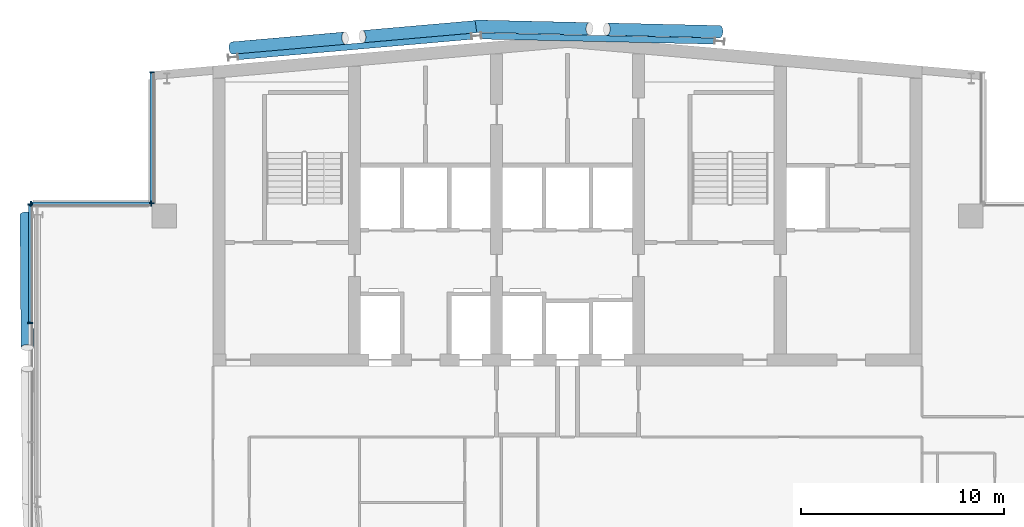
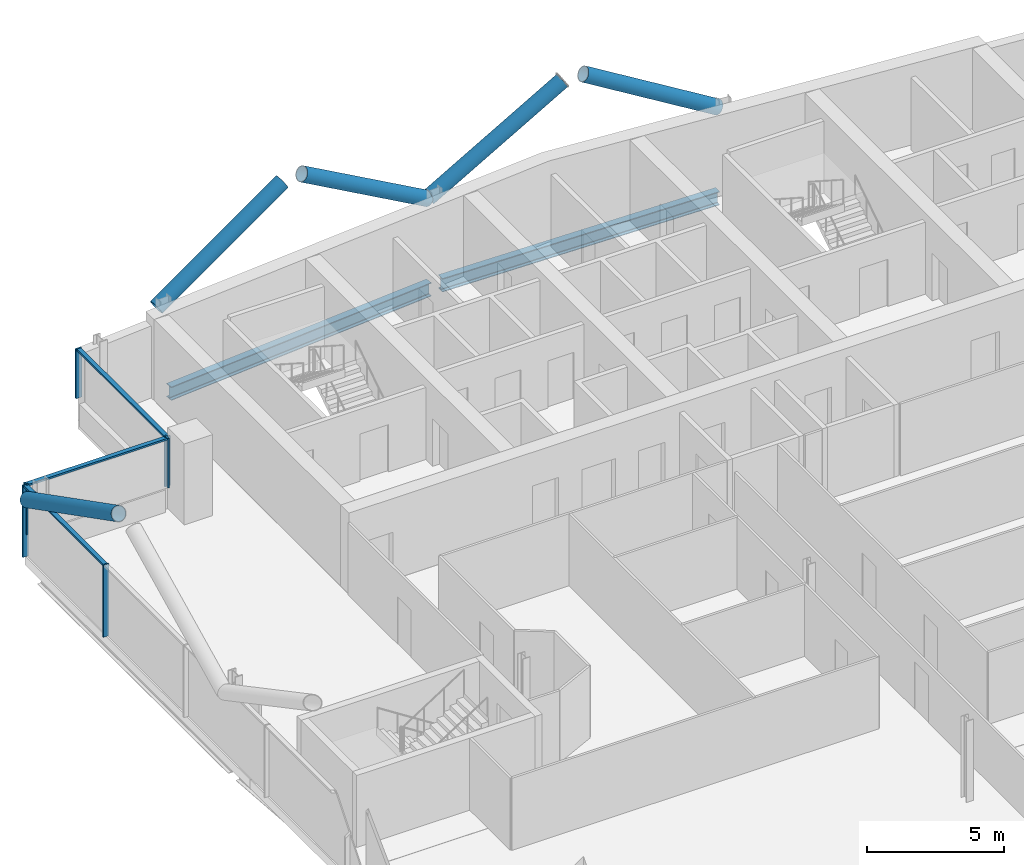
# One storey, part 10 of 25: 14 members, 2 beams, 3 elements without a shape of their own.
"""IFC4 building model written with IfcOpenShell, lengths in metres."""

from ifc_helpers import new_model, si_unit, direction, frame, origin, origin_2d, place, context, subcontext, project, spatial, rectangle, hollow_circle, i_section, extrude, material, material_profile, profile_set, type_object, element, aggregate, save


model = new_model("IFC4")

# Units and contexts
model_context = context("Model", 3, precision=1e-05, world=origin(), true_north=direction((0.0, 1.0)))
body_context = subcontext(model_context, "Body", "Model", "MODEL_VIEW")
ifc_project = project(units=[si_unit("LENGTHUNIT", "METRE"), si_unit("AREAUNIT", "SQUARE_METRE"), si_unit("VOLUMEUNIT", "CUBIC_METRE"), si_unit("PLANEANGLEUNIT", "RADIAN"), si_unit("MASSUNIT", "GRAM", prefix="KILO")], contexts=[model_context])

# Site, building, storey
site_placement = place(None, origin())
site = spatial("IfcSite", under=ifc_project, at=site_placement, CompositionType="ELEMENT")
building_placement = place(site_placement, origin())
building = spatial("IfcBuilding", under=site, at=building_placement, Name="Wharfspan Tower", CompositionType="ELEMENT")
storey_placement = place(building_placement, frame((0.0, 0.0, 225.100098)))
storey = spatial("IfcBuildingStorey", under=building, at=storey_placement, Name="L56", CompositionType="ELEMENT", Elevation=225.100098)

# Beams
ifc_material_1 = material(Name="Steel S355J2", Category="steel")
ifc_material_profile_1 = material_profile(ifc_material_1, i_section(OverallWidth=0.300049, OverallDepth=0.600098, WebThickness=0.015381, FlangeThickness=0.030029, FilletRadius=0.0271, at=origin_2d()))
ifc_profile_set_1 = profile_set([ifc_material_profile_1], Name="Steel S355J2")
beam_type = type_object("IfcBeamType", Name="Edge beam HEB 600", PredefinedType="SPANDREL", material=ifc_profile_set_1)
beam_1_placement = place(storey_placement, frame((35.754883, 50.263428, -0.700195), z_axis=(-0.996194, -0.087165, 0.0), x_axis=(0.087165, -0.996194, 0.0)))
element("IfcBeam", 1, at=beam_1_placement, inside=storey, type_object=beam_type, Name="Edge beam N1 L56 R.2 to R.1", PredefinedType="SPANDREL", context=body_context, shape_type="SweptSolid", body=[
    extrude(i_section(OverallWidth=0.300049, OverallDepth=0.600098, WebThickness=0.015381, FlangeThickness=0.030029, FilletRadius=0.0271, at=origin_2d()), origin(), (0.0, 0.0, 1.0), 11.553711),
])
beam_2_placement = place(storey_placement, frame((36.247559, 50.279297, -0.700195), z_axis=(0.999761, -0.021871, 0.0), x_axis=(0.021871, 0.999761, 0.0)))
element("IfcBeam", 2, at=beam_2_placement, inside=storey, type_object=beam_type, Name="Edge beam L56 R.2 to R.3", PredefinedType="SPANDREL", context=body_context, shape_type="SweptSolid", body=[
    extrude(i_section(OverallWidth=0.300049, OverallDepth=0.600098, WebThickness=0.015381, FlangeThickness=0.030029, FilletRadius=0.0271, at=origin_2d()), origin(), (0.0, 0.0, 1.0), 11.508545),
])

# Curtain wall, members
ifc_material_2 = material(Name="Aluminium 6063-T6", Category="aluminium")
curtain_wall_type = type_object("IfcCurtainWallType", Name="CURTAIN WALL PROW AND END", PredefinedType="NOTDEFINED", material=ifc_material_2)
curtain_wall_1_placement = place(storey_placement, origin())
curtain_wall_1 = element("IfcCurtainWall", 3, at=curtain_wall_1_placement, inside=storey, type_object=curtain_wall_type, Name="Curtain wall NRW-V", PredefinedType="NOTDEFINED")
ifc_material_profile_2 = material_profile(ifc_material_2, rectangle(XDim=0.23999, YDim=0.060059, at=origin_2d()))
ifc_profile_set_2 = profile_set([ifc_material_profile_2], Name="Aluminium 6063-T6")
member_type_1 = type_object("IfcMemberType", Name="MULLION PROW AND END 60x240", PredefinedType="MULLION", material=ifc_profile_set_2)
member_1_placement = place(storey_placement, frame((20.0, 48.494873, 1.0), z_axis=(0.0, 0.0, 1.0), x_axis=(1.0, 0.0, 0.0)))
member_1 = element("IfcMember", 4, at=member_1_placement, type_object=member_type_1, Name="Curtain wall NRW-V mullion 1", PredefinedType="MULLION", context=body_context, shape_type="SweptSolid", body=[
    extrude(rectangle(XDim=0.23999, YDim=0.060059, at=origin_2d()), origin(), (0.0, 0.0, 1.0), 2.199951),
])
member_2_placement = place(storey_placement, frame((20.0, 42.030029, 1.0), z_axis=(0.0, 0.0, 1.0), x_axis=(1.0, 0.0, 0.0)))
member_2 = element("IfcMember", 5, at=member_2_placement, type_object=member_type_1, Name="Curtain wall NRW-V mullion 2", PredefinedType="MULLION", context=body_context, shape_type="SweptSolid", body=[
    extrude(rectangle(XDim=0.23999, YDim=0.060059, at=origin_2d()), origin(), (0.0, 0.0, 1.0), 2.199951),
])

curtain_wall_2_placement = place(storey_placement, origin())
curtain_wall_2 = element("IfcCurtainWall", 6, at=curtain_wall_2_placement, inside=storey, type_object=curtain_wall_type, Name="Curtain wall NRW-H", PredefinedType="NOTDEFINED")
member_3_placement = place(storey_placement, frame((19.969971, 42.0, 1.0), z_axis=(0.0, 0.0, 1.0), x_axis=(0.0, -1.0, 0.0)))
member_3 = element("IfcMember", 7, at=member_3_placement, type_object=member_type_1, Name="Curtain wall NRW-H mullion 1", PredefinedType="MULLION", context=body_context, shape_type="SweptSolid", body=[
    extrude(rectangle(XDim=0.23999, YDim=0.060059, at=origin_2d()), origin(), (0.0, 0.0, 1.0), 2.199951),
])
member_4_placement = place(storey_placement, frame((14.030029, 42.0, 1.0), z_axis=(0.0, 0.0, 1.0), x_axis=(0.0, -1.0, 0.0)))
member_4 = element("IfcMember", 8, at=member_4_placement, type_object=member_type_1, Name="Curtain wall NRW-H mullion 2", PredefinedType="MULLION", context=body_context, shape_type="SweptSolid", body=[
    extrude(rectangle(XDim=0.23999, YDim=0.060059, at=origin_2d()), origin(), (0.0, 0.0, 1.0), 2.199951),
])

curtain_wall_3_placement = place(storey_placement, origin())
curtain_wall_3 = element("IfcCurtainWall", 9, at=curtain_wall_3_placement, inside=storey, type_object=curtain_wall_type, Name="Curtain wall W", PredefinedType="NOTDEFINED")
member_5_placement = place(storey_placement, frame((14.0, 41.969971, 0.0), z_axis=(0.0, 0.0, 1.0), x_axis=(1.0, 0.0, 0.0)))
member_5 = element("IfcMember", 10, at=member_5_placement, type_object=member_type_1, Name="Curtain wall W mullion 1", PredefinedType="MULLION", context=body_context, shape_type="SweptSolid", body=[
    extrude(rectangle(XDim=0.23999, YDim=0.060059, at=origin_2d()), origin(), (0.0, 0.0, 1.0), 3.199951),
])
member_6_placement = place(storey_placement, frame((14.0, 36.120117, 0.0), z_axis=(0.0, 0.0, 1.0), x_axis=(1.0, 0.0, 0.0)))
member_6 = element("IfcMember", 11, at=member_6_placement, type_object=member_type_1, Name="Curtain wall W mullion 2", PredefinedType="MULLION", context=body_context, shape_type="SweptSolid", body=[
    extrude(rectangle(XDim=0.23999, YDim=0.060059, at=origin_2d()), origin(), (0.0, 0.0, 1.0), 3.199951),
])

# Members
ifc_material_3 = material(Name="Steel S460NH", Category="steel")
ifc_material_profile_3 = material_profile(ifc_material_3, hollow_circle(Radius=0.304932, WallThickness=0.024902, at=origin_2d()))
ifc_profile_set_3 = profile_set([ifc_material_profile_3], Name="Steel S460NH")
member_type_2 = type_object("IfcMemberType", Name="Mega brace CHS 610x25", PredefinedType="BRACE", material=ifc_profile_set_3)
member_7_placement = place(storey_placement, frame((13.792969, 41.459717, 2.899902), z_axis=(0.007044, -0.891361, 0.45324), x_axis=(0.999973, 0.007904, 3e-06)))
element("IfcMember", 12, at=member_7_placement, inside=storey, type_object=member_type_2, Name="Mega brace W3 L57 part 1", PredefinedType="BRACE", context=body_context, shape_type="SweptSolid", body=[
    extrude(hollow_circle(Radius=0.304932, WallThickness=0.024902, at=origin_2d()), origin(), (0.0, 0.0, 1.0), 7.347168),
])
member_8_placement = place(storey_placement, frame((23.960693, 49.685059, 2.899902), z_axis=(0.855093, 0.074814, 0.513048), x_axis=(-0.087159, 0.996198, -1e-06)))
element("IfcMember", 13, at=member_8_placement, inside=storey, type_object=member_type_2, Name="Mega brace N7 L57 part 1", PredefinedType="BRACE", context=body_context, shape_type="SweptSolid", body=[
    extrude(hollow_circle(Radius=0.304932, WallThickness=0.024902, at=origin_2d()), origin(), (0.0, 0.0, 1.0), 6.510254),
])
member_9_placement = place(storey_placement, frame((35.960693, 50.735107, 2.899902), z_axis=(-0.855103, -0.074812, 0.513032), x_axis=(0.087157, -0.996193, 2e-06)))
element("IfcMember", 14, at=member_9_placement, inside=storey, type_object=member_type_2, Name="Mega brace N7 L57 part 3", PredefinedType="BRACE", context=body_context, shape_type="SweptSolid", body=[
    extrude(hollow_circle(Radius=0.304932, WallThickness=0.024902, at=origin_2d()), origin(), (0.0, 0.0, 1.0), 6.510498),
])
for number, where, z_axis, x_axis, name in (
    (15, (36.010498, 50.762939, 2.899902), (0.857337, -0.019475, 0.514387), (0.022711, 0.999741, -2e-06), "Mega brace N8 L57 part 1"),
    (16, (48.010254, 50.490234, 2.899902), (-0.857337, 0.019475, 0.514387), (-0.022711, -0.999741, -2e-06), "Mega brace N8 L57 part 3"),
):
    element("IfcMember", number, at=place(storey_placement, frame(where, z_axis=z_axis, x_axis=x_axis)), inside=storey, type_object=member_type_2, Name=name, PredefinedType="BRACE", context=body_context, shape_type="SweptSolid", body=[
        extrude(hollow_circle(Radius=0.304932, WallThickness=0.024902, at=origin_2d()), origin(), (0.0, 0.0, 1.0), 6.493896),
    ])

# Member
ifc_material_profile_4 = material_profile(ifc_material_2, rectangle(XDim=0.179932, YDim=0.080078, at=origin_2d()))
ifc_profile_set_4 = profile_set([ifc_material_profile_4], Name="Aluminium 6063-T6")
member_type_3 = type_object("IfcMemberType", Name="TRANSOM PROW AND END 80x180", PredefinedType="USERDEFINED", material=ifc_profile_set_4)
member_10_placement = place(storey_placement, frame((20.0, 48.464844, 3.159912), z_axis=(0.0, -1.0, 0.0), x_axis=(1.0, 0.0, 0.0)))
member_10 = element("IfcMember", 17, at=member_10_placement, type_object=member_type_3, Name="Curtain wall NRW-V transom 1", ObjectType="TRANSOM", PredefinedType="USERDEFINED", context=body_context, shape_type="SweptSolid", body=[
    extrude(rectangle(XDim=0.179932, YDim=0.080078, at=origin_2d()), origin(), (0.0, 0.0, 1.0), 6.404785),
])

aggregate(curtain_wall_1, [member_1, member_2, member_10])

member_11_placement = place(storey_placement, frame((19.939941, 42.0, 3.159912), z_axis=(-1.0, 0.0, 0.0), x_axis=(0.0, -1.0, 0.0)))
member_11 = element("IfcMember", 18, at=member_11_placement, type_object=member_type_3, Name="Curtain wall NRW-H transom 1", ObjectType="TRANSOM", PredefinedType="USERDEFINED", context=body_context, shape_type="SweptSolid", body=[
    extrude(rectangle(XDim=0.179932, YDim=0.080078, at=origin_2d()), origin(), (0.0, 0.0, 1.0), 5.879883),
])

aggregate(curtain_wall_2, [member_3, member_4, member_11])

member_12_placement = place(storey_placement, frame((14.0, 41.939941, 3.159912), z_axis=(0.0, -1.0, 0.0), x_axis=(1.0, 0.0, 0.0)))
member_12 = element("IfcMember", 19, at=member_12_placement, type_object=member_type_3, Name="Curtain wall W transom 1", ObjectType="TRANSOM", PredefinedType="USERDEFINED", context=body_context, shape_type="SweptSolid", body=[
    extrude(rectangle(XDim=0.179932, YDim=0.080078, at=origin_2d()), origin(), (0.0, 0.0, 1.0), 5.790039),
])

aggregate(curtain_wall_3, [member_5, member_6, member_12])

save(model, "model.ifc")
